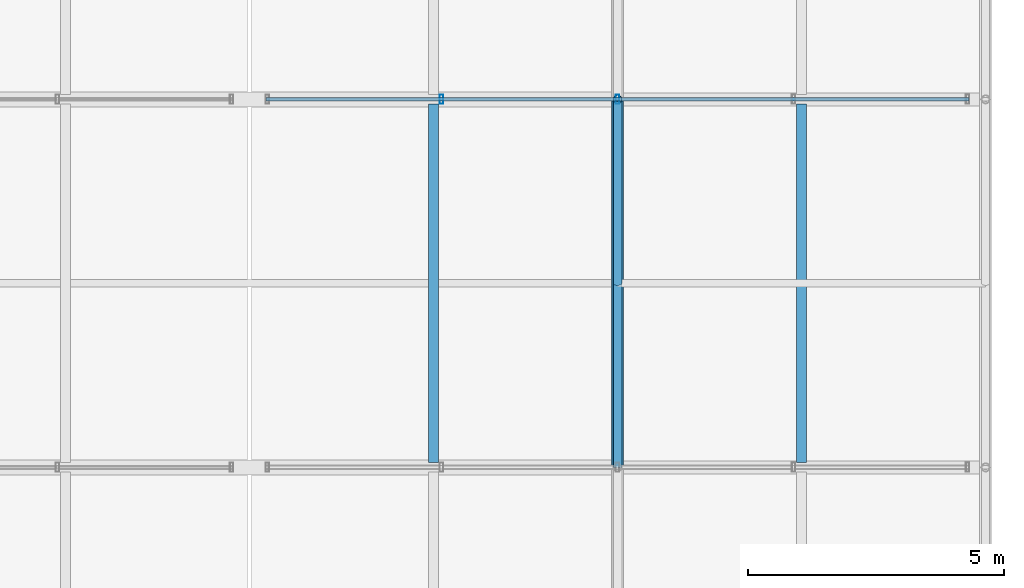
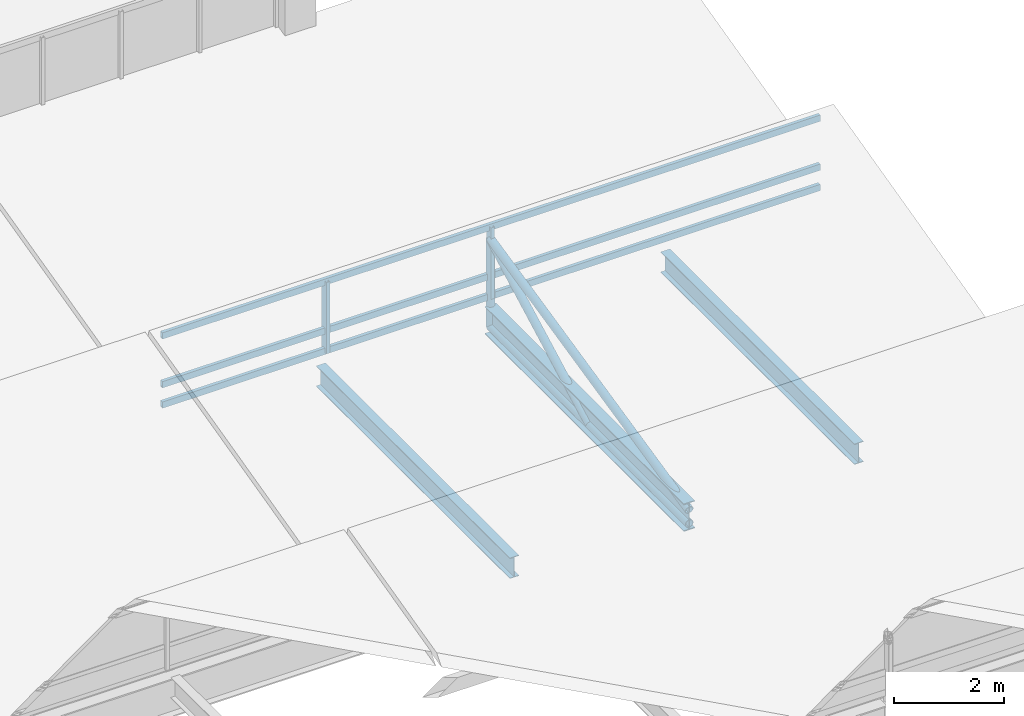
# One storey, part 82 of 144: 9 members, 3 beams, 1 element without a shape of its own.
"""IFC4 building model written with IfcOpenShell, lengths in metres."""

from ifc_helpers import new_model, si_unit, direction, frame, origin, origin_2d, place, context, subcontext, project, spatial, hollow_rectangle, hollow_circle, i_section, extrude, material, material_profile, profile_set, type_object, element, aggregate, save


model = new_model("IFC4")

# Units and contexts
model_context = context("Model", 3, precision=1e-05, world=origin(), true_north=direction((0.0, 1.0)))
body_context = subcontext(model_context, "Body", "Model", "MODEL_VIEW")
ifc_project = project(units=[si_unit("LENGTHUNIT", "METRE"), si_unit("AREAUNIT", "SQUARE_METRE"), si_unit("VOLUMEUNIT", "CUBIC_METRE"), si_unit("PLANEANGLEUNIT", "RADIAN"), si_unit("MASSUNIT", "GRAM", prefix="KILO")], contexts=[model_context])

# Site, building, storey
site_placement = place(None, origin())
site = spatial("IfcSite", under=ifc_project, at=site_placement, CompositionType="ELEMENT")
building_placement = place(site_placement, origin())
building = spatial("IfcBuilding", under=site, at=building_placement, Name="Yarey Park Central Fire Station", CompositionType="ELEMENT")
storey_placement = place(building_placement, frame((0.0, 0.0, 10.199951171875)))
storey = spatial("IfcBuildingStorey", under=building, at=storey_placement, Name="L03", CompositionType="ELEMENT", Elevation=10.199951171875)

# Curtain wall, members
ifc_material_1 = material(Name="Anodized Aluminium Frame", Category="aluminium")
curtain_wall_type = type_object("IfcCurtainWallType", Name="ENV_CW_SAW_18", PredefinedType="NOTDEFINED", material=ifc_material_1)
curtain_wall_placement = place(storey_placement, origin())
curtain_wall = element("IfcCurtainWall", 1, at=curtain_wall_placement, inside=storey, type_object=curtain_wall_type, Name="CW_L03_SAW_6_2", PredefinedType="NOTDEFINED")
ifc_material_profile_1 = material_profile(ifc_material_1, hollow_rectangle(XDim=0.070068359375, YDim=0.179931640625, WallThickness=0.00390625, at=origin_2d()), Name="ALU 180x70x4")
ifc_profile_set_1 = profile_set([ifc_material_profile_1], Name="Anodized Aluminium Frame")
member_type_1 = type_object("IfcMemberType", Name="ENV_CW_MULLION", PredefinedType="MULLION", material=ifc_profile_set_1)
member_1_placement = place(storey_placement, frame((158.39990234375, 86.39990234375, 0.0), z_axis=(0.0, 0.0, 1.0), x_axis=(1.0, 0.0, 0.0)))
member_1 = element("IfcMember", 2, at=member_1_placement, type_object=member_type_1, Name="CW_L03_SAW_6_2_MUL3", PredefinedType="MULLION", context=body_context, shape_type="SweptSolid", body=[
    extrude(hollow_rectangle(XDim=0.070068359375, YDim=0.179931640625, WallThickness=0.00390625, at=origin_2d()), origin(), (0.0, 0.0, 1.0), 1.580078125),
])
member_2_placement = place(storey_placement, frame((154.955078125, 86.39990234375, 0.0), z_axis=(0.0, 0.0, 1.0), x_axis=(1.0, 0.0, 0.0)))
member_2 = element("IfcMember", 3, at=member_2_placement, type_object=member_type_1, Name="CW_L03_SAW_6_2_MUL4", PredefinedType="MULLION", context=body_context, shape_type="SweptSolid", body=[
    extrude(hollow_rectangle(XDim=0.070068359375, YDim=0.179931640625, WallThickness=0.00390625, at=origin_2d()), origin(), (0.0, 0.0, 1.0), 1.580078125),
])
ifc_material_profile_2 = material_profile(ifc_material_1, hollow_rectangle(XDim=0.070068359375, YDim=0.139892578125, WallThickness=0.00390625, at=origin_2d()), Name="ALU 140x70x4")
ifc_profile_set_2 = profile_set([ifc_material_profile_2], Name="Anodized Aluminium Frame")
member_type_2 = type_object("IfcMemberType", Name="ENV_CW_TRANSOM", PredefinedType="USERDEFINED", material=ifc_profile_set_2)
member_3_placement = place(storey_placement, frame((165.27490234375, 86.39990234375, 0.025146484375), z_axis=(-1.0, 0.0, 0.0), x_axis=(0.0, -1.0, 0.0)))
member_3 = element("IfcMember", 4, at=member_3_placement, type_object=member_type_2, Name="CW_L03_SAW_6_2_TRN1", ObjectType="TRANSOM", PredefinedType="USERDEFINED", context=body_context, shape_type="SweptSolid", body=[
    extrude(hollow_rectangle(XDim=0.070068359375, YDim=0.139892578125, WallThickness=0.00390625, at=origin_2d()), origin(), (0.0, 0.0, 1.0), 13.75),
])
member_4_placement = place(storey_placement, frame((165.27490234375, 86.39990234375, 0.47412109375), z_axis=(-1.0, 0.0, 0.0), x_axis=(0.0, -1.0, 0.0)))
member_4 = element("IfcMember", 5, at=member_4_placement, type_object=member_type_2, Name="CW_L03_SAW_6_2_TRN2", ObjectType="TRANSOM", PredefinedType="USERDEFINED", context=body_context, shape_type="SweptSolid", body=[
    extrude(hollow_rectangle(XDim=0.070068359375, YDim=0.139892578125, WallThickness=0.00390625, at=origin_2d()), origin(), (0.0, 0.0, 1.0), 13.75),
])
member_5_placement = place(storey_placement, frame((165.27490234375, 86.39990234375, 1.554931640625), z_axis=(-1.0, 0.0, 0.0), x_axis=(0.0, -1.0, 0.0)))
member_5 = element("IfcMember", 6, at=member_5_placement, type_object=member_type_2, Name="CW_L03_SAW_6_2_TRN3", ObjectType="TRANSOM", PredefinedType="USERDEFINED", context=body_context, shape_type="SweptSolid", body=[
    extrude(hollow_rectangle(XDim=0.070068359375, YDim=0.139892578125, WallThickness=0.00390625, at=origin_2d()), origin(), (0.0, 0.0, 1.0), 13.75),
])
aggregate(curtain_wall, [member_1, member_2, member_3, member_4, member_5])

# Beam
ifc_material_2 = material(Name="Steel ASTM A992 Gr. 50", Category="steel")
ifc_material_profile_3 = material_profile(ifc_material_2, i_section(OverallWidth=0.22900390625, OverallDepth=0.612060546875, WebThickness=0.011962890625, FlangeThickness=0.01953125, at=origin_2d()), Name="W610x125")
ifc_profile_set_3 = profile_set([ifc_material_profile_3], Name="Steel ASTM A992 Gr. 50")
beam_type_1 = type_object("IfcBeamType", Name="STR_BM_W610", PredefinedType="BEAM", material=ifc_profile_set_3)
beam_placement = place(storey_placement, frame((158.39990234375, 79.199951171875, -0.48583984375), z_axis=(0.0, 1.0, 0.0), x_axis=(-1.0, 0.0, 0.0)))
element("IfcBeam", 7, at=beam_placement, inside=storey, type_object=beam_type_1, Name="BMY L03 X1584 Y792", PredefinedType="BEAM", context=body_context, shape_type="SweptSolid", body=[
    extrude(i_section(OverallWidth=0.22900390625, OverallDepth=0.612060546875, WebThickness=0.011962890625, FlangeThickness=0.01953125, at=origin_2d()), origin(), (0.0, 0.0, 1.0), 7.199951171875),
])

# Members
ifc_material_3 = material(Name="Steel ASTM A500 Gr. C", Category="steel")
ifc_material_profile_4 = material_profile(ifc_material_3, hollow_circle(Radius=0.084228515625, WallThickness=0.008056640625, at=origin_2d()), Name="CHS 168.3x8")
ifc_profile_set_4 = profile_set([ifc_material_profile_4], Name="Steel ASTM A500 Gr. C")
member_type_3 = type_object("IfcMemberType", Name="STR_CHORD_CHS168", PredefinedType="CHORD", material=ifc_profile_set_4)
member_6_placement = place(storey_placement, frame((158.39990234375, 79.199951171875, -0.64990234375), z_axis=(0.0, 1.0, 0.0), x_axis=(-1.0, 0.0, 0.0)))
element("IfcMember", 8, at=member_6_placement, inside=storey, type_object=member_type_3, Name="SAW_T3_B6_BC", PredefinedType="CHORD", context=body_context, shape_type="SweptSolid", body=[
    extrude(hollow_circle(Radius=0.084228515625, WallThickness=0.008056640625, at=origin_2d()), origin(), (0.0, 0.0, 1.0), 7.199951171875),
])
member_7_placement = place(storey_placement, frame((158.39990234375, 79.199951171875, -0.349853515625), z_axis=(0.0, 0.975464150349, 0.220158332533), x_axis=(-1.0, 0.0, 0.0)))
element("IfcMember", 9, at=member_7_placement, inside=storey, type_object=member_type_3, Name="SAW_T3_B6_TC", PredefinedType="CHORD", context=body_context, shape_type="SweptSolid", body=[
    extrude(hollow_circle(Radius=0.084228515625, WallThickness=0.008056640625, at=origin_2d()), origin(), (0.0, 0.0, 1.0), 7.381103515625),
])

# Beams
ifc_material_profile_5 = material_profile(ifc_material_2, i_section(OverallWidth=0.18994140625, OverallDepth=0.45703125, WebThickness=0.009033203125, FlangeThickness=0.014404296875, at=origin_2d()), Name="W460x74")
ifc_profile_set_5 = profile_set([ifc_material_profile_5], Name="Steel ASTM A992 Gr. 50")
beam_type_2 = type_object("IfcBeamType", Name="STR_JST_W460", PredefinedType="JOIST", material=ifc_profile_set_5)
for number, where, z_axis, x_axis, name in (
    (10, (154.800048828125, 79.294921875, -0.408447265625), (0.0, 1.0, 0.0), (-1.0, 0.0, 0.0), "JST L03 X1548 Y792"),
    (11, (162.0, 79.294921875, -0.408447265625), (0.0, 1.0, 0.0), (-1.0, 0.0, 0.0), "JST L03 X1620 Y792"),
):
    element("IfcBeam", number, at=place(storey_placement, frame(where, z_axis=z_axis, x_axis=x_axis)), inside=storey, type_object=beam_type_2, Name=name, PredefinedType="JOIST", context=body_context, shape_type="SweptSolid", body=[
        extrude(i_section(OverallWidth=0.18994140625, OverallDepth=0.45703125, WebThickness=0.009033203125, FlangeThickness=0.014404296875, at=origin_2d()), origin(), (0.0, 0.0, 1.0), 7.010009765625),
    ])

# Members
ifc_material_profile_6 = material_profile(ifc_material_3, hollow_circle(Radius=0.084228515625, WallThickness=0.008056640625, at=origin_2d()), Name="CHS 168.3x8")
ifc_profile_set_6 = profile_set([ifc_material_profile_6], Name="Steel ASTM A500 Gr. C")
member_type_4 = type_object("IfcMemberType", Name="STR_WEB_CHS168", PredefinedType="BRACE", material=ifc_profile_set_6)
member_8_placement = place(storey_placement, frame((158.39990234375, 86.39990234375, -0.64990234375), z_axis=(0.0, 0.0, 1.0), x_axis=(1.0, 0.0, 0.0)))
element("IfcMember", 12, at=member_8_placement, inside=storey, type_object=member_type_4, Name="SAW_T3_B6_VT", PredefinedType="BRACE", context=body_context, shape_type="SweptSolid", body=[
    extrude(hollow_circle(Radius=0.084228515625, WallThickness=0.008056640625, at=origin_2d()), origin(), (0.0, 0.0, 1.0), 1.925048828125),
])
member_9_placement = place(storey_placement, frame((158.39990234375, 82.800048828125, -0.64990234375), z_axis=(0.0, 0.8818309127, 0.471565733919), x_axis=(-1.0, 0.0, 0.0)))
element("IfcMember", 13, at=member_9_placement, inside=storey, type_object=member_type_4, Name="SAW_T3_B6_DG", PredefinedType="BRACE", context=body_context, shape_type="SweptSolid", body=[
    extrude(hollow_circle(Radius=0.084228515625, WallThickness=0.008056640625, at=origin_2d()), origin(), (0.0, 0.0, 1.0), 4.082275390625),
])

save(model, "model.ifc")
